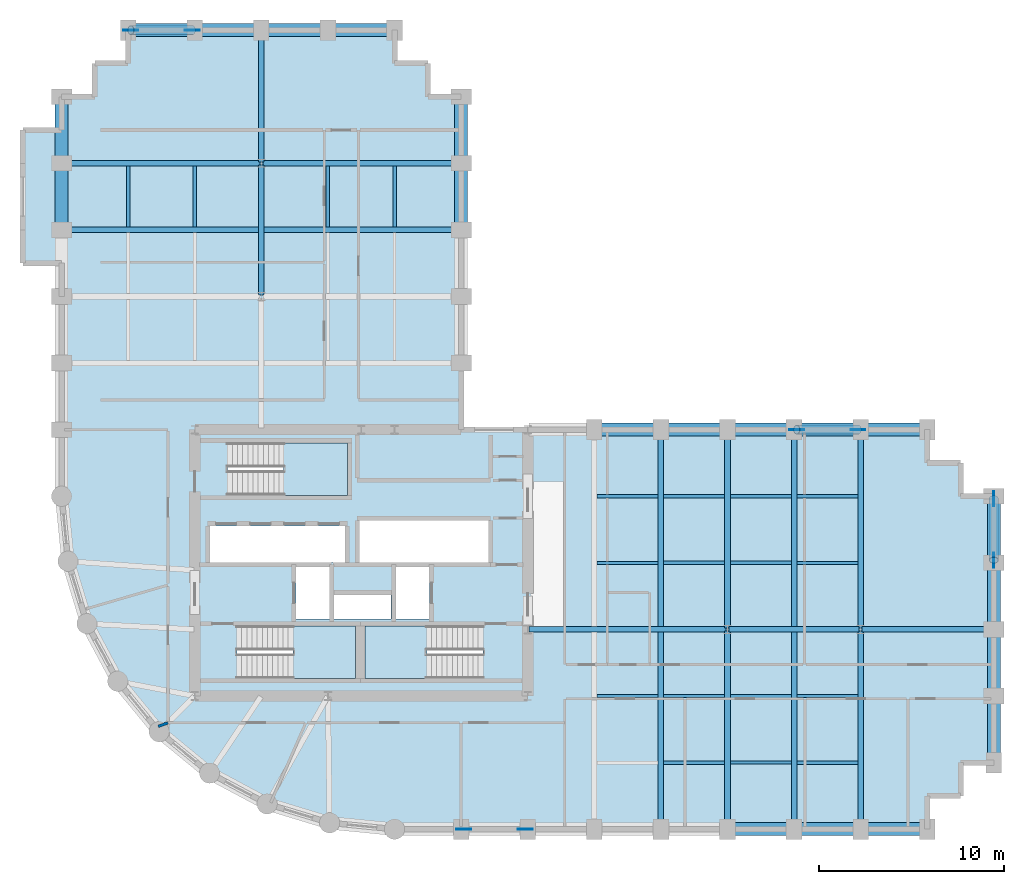
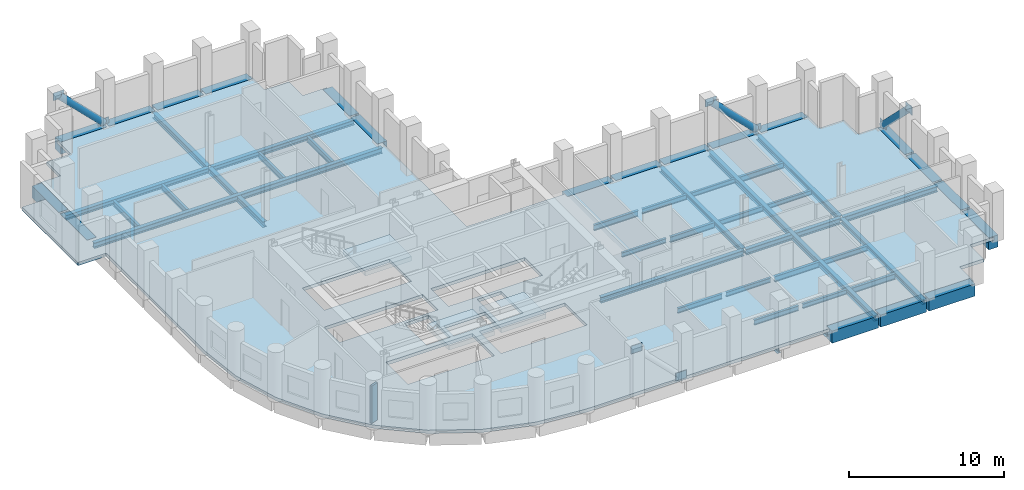
# One storey, part 2 of 7: 53 beams, 8 plates, 4 slabs, 3 members, 1 wall, 3 elements without a shape of their own.
"""IFC4 building model written with IfcOpenShell, lengths in metres."""

from ifc_helpers import new_model, si_unit, direction, frame, frame_2d, origin, origin_2d, place, context, subcontext, project, spatial, polyline, rectangle, hollow_circle, i_section, outline, extrude, material, layer, layer_set, material_profile, profile_set, type_object, element, aggregate, save


model = new_model("IFC4")

# Units and contexts
model_context = context("Model", 3, precision=1e-05, world=origin(), true_north=direction((0.0, 1.0)))
body_context = subcontext(model_context, "Body", "Model", "MODEL_VIEW")
ifc_project = project(units=[si_unit("LENGTHUNIT", "METRE"), si_unit("AREAUNIT", "SQUARE_METRE"), si_unit("VOLUMEUNIT", "CUBIC_METRE"), si_unit("PLANEANGLEUNIT", "RADIAN"), si_unit("MASSUNIT", "GRAM", prefix="KILO")], contexts=[model_context])

# Site, building, storey
site_placement = place(None, origin())
site = spatial("IfcSite", under=ifc_project, at=site_placement, CompositionType="ELEMENT")
building_placement = place(site_placement, origin())
building = spatial("IfcBuilding", under=site, at=building_placement, Name="Solnavia Interchange Tower", CompositionType="ELEMENT")
storey_placement = place(building_placement, frame((0.0, 0.0, 91.800048828125)))
storey = spatial("IfcBuildingStorey", under=building, at=storey_placement, Name="L22", CompositionType="ELEMENT", Elevation=91.800048828125)

# Beams
ifc_material_1 = material(Name="Steel S460", Category="steel")
ifc_material_profile_1 = material_profile(ifc_material_1, i_section(OverallWidth=0.300048828125, OverallDepth=0.449951171875, WebThickness=0.013916015625, FlangeThickness=0.02587890625, FilletRadius=0.027099609375, at=origin_2d()), Name="HEB 450")
ifc_profile_set_1 = profile_set([ifc_material_profile_1], Name="Steel S460")
beam_type_1 = type_object("IfcBeamType", Name="Beam-Girder-HEB450", PredefinedType="BEAM", material=ifc_profile_set_1)
beam_1_placement = place(storey_placement, frame((32.47998046875, 14.39990234375, -0.47509765625), z_axis=(1.0, 0.0, 0.0), x_axis=(0.0, 1.0, 0.0)))
element("IfcBeam", 1, at=beam_1_placement, inside=storey, type_object=beam_type_1, Name="GRD-L22-ES01 East wing spine girder", PredefinedType="BEAM", context=body_context, shape_type="SweptSolid", body=[
    extrude(i_section(OverallWidth=0.300048828125, OverallDepth=0.449951171875, WebThickness=0.013916015625, FlangeThickness=0.02587890625, FilletRadius=0.027099609375, at=origin_2d()), origin(), (0.0, 0.0, 1.0), 10.64013671875),
])
for number, where, z_axis, x_axis, name in (
    (2, (43.280029296875, 14.39990234375, -0.47509765625), (1.0, 0.0, 0.0), (0.0, 1.0, 0.0), "GRD-L22-ES02 East wing spine girder"),
    (3, (50.47998046875, 14.39990234375, -0.47509765625), (1.0, 0.0, 0.0), (0.0, 1.0, 0.0), "GRD-L22-ES03 East wing spine girder"),
    (4, (18.0, 32.47998046875, -0.47509765625), (0.0, 1.0, 0.0), (-1.0, 0.0, 0.0), "GRD-L22-NS12 North wing spine girder"),
    (5, (18.0, 39.679931640625, -0.47509765625), (0.0, 1.0, 0.0), (-1.0, 0.0, 0.0), "GRD-L22-NS13 North wing spine girder"),
):
    element("IfcBeam", number, at=place(storey_placement, frame(where, z_axis=z_axis, x_axis=x_axis)), inside=storey, type_object=beam_type_1, Name=name, PredefinedType="BEAM", context=body_context, shape_type="SweptSolid", body=[
        extrude(i_section(OverallWidth=0.300048828125, OverallDepth=0.449951171875, WebThickness=0.013916015625, FlangeThickness=0.02587890625, FilletRadius=0.027099609375, at=origin_2d()), origin(), (0.0, 0.0, 1.0), 7.0400390625),
    ])
ifc_material_2 = material(Name="Steel S355", Category="steel")
ifc_material_profile_2 = material_profile(ifc_material_2, i_section(OverallWidth=0.169921875, OverallDepth=0.360107421875, WebThickness=0.008056640625, FlangeThickness=0.0126953125, FilletRadius=0.01806640625, at=origin_2d()), Name="IPE 360")
ifc_profile_set_2 = profile_set([ifc_material_profile_2], Name="Steel S355")
beam_type_2 = type_object("IfcBeamType", Name="Beam-Joist-IPE360", PredefinedType="JOIST", material=ifc_profile_set_2)
beam_2_placement = place(storey_placement, frame((43.35009765625, 7.199951171875, -0.429931640625), z_axis=(1.0, 0.0, 0.0), x_axis=(0.0, 1.0, 0.0)))
element("IfcBeam", 6, at=beam_2_placement, inside=storey, type_object=beam_type_2, Name="JST-L22-E03 East wing secondary joist", PredefinedType="JOIST", context=body_context, shape_type="SweptSolid", body=[
    extrude(i_section(OverallWidth=0.169921875, OverallDepth=0.360107421875, WebThickness=0.008056640625, FlangeThickness=0.0126953125, FilletRadius=0.01806640625, at=origin_2d()), origin(), (0.0, 0.0, 1.0), 3.2998046875),
])
for number, where, z_axis, x_axis, name in (
    (7, (39.75, 10.800048828125, -0.429931640625), (1.0, 0.0, 0.0), (0.0, 1.0, 0.0), "JST-L22-E06 East wing secondary joist"),
    (8, (36.14990234375, 18.0, -0.429931640625), (1.0, 0.0, 0.0), (0.0, 1.0, 0.0), "JST-L22-E09 East wing secondary joist"),
    (9, (46.949951171875, 18.0, -0.429931640625), (1.0, 0.0, 0.0), (0.0, 1.0, 0.0), "JST-L22-E12 East wing secondary joist"),
):
    element("IfcBeam", number, at=place(storey_placement, frame(where, z_axis=z_axis, x_axis=x_axis)), inside=storey, type_object=beam_type_2, Name=name, PredefinedType="JOIST", context=body_context, shape_type="SweptSolid", body=[
        extrude(i_section(OverallWidth=0.169921875, OverallDepth=0.360107421875, WebThickness=0.008056640625, FlangeThickness=0.0126953125, FilletRadius=0.01806640625, at=origin_2d()), origin(), (0.0, 0.0, 1.0), 3.300048828125),
    ])
beam_3_placement = place(storey_placement, frame((43.35009765625, 21.60009765625, -0.429931640625), z_axis=(1.0, 0.0, 0.0), x_axis=(0.0, 1.0, 0.0)))
element("IfcBeam", 10, at=beam_3_placement, inside=storey, type_object=beam_type_2, Name="JST-L22-E15 East wing secondary joist", PredefinedType="JOIST", context=body_context, shape_type="SweptSolid", body=[
    extrude(i_section(OverallWidth=0.169921875, OverallDepth=0.360107421875, WebThickness=0.008056640625, FlangeThickness=0.0126953125, FilletRadius=0.01806640625, at=origin_2d()), origin(), (0.0, 0.0, 1.0), 3.2998046875),
])
ifc_material_profile_3 = material_profile(ifc_material_2, i_section(OverallWidth=0.179931640625, OverallDepth=0.39990234375, WebThickness=0.008544921875, FlangeThickness=0.013427734375, FilletRadius=0.02099609375, at=origin_2d()), Name="IPE 400")
ifc_profile_set_3 = profile_set([ifc_material_profile_3], Name="Steel S355")
beam_type_3 = type_object("IfcBeamType", Name="Beam-Joist-IPE400", PredefinedType="JOIST", material=ifc_profile_set_3)
for number, where, z_axis, x_axis, name in (
    (11, (39.75, 7.199951171875, -0.449951171875), (1.0, 0.0, 0.0), (0.0, 1.0, 0.0), "JST-L22-E02 East wing secondary joist"),
    (12, (36.14990234375, 10.800048828125, -0.449951171875), (1.0, 0.0, 0.0), (0.0, 1.0, 0.0), "JST-L22-E05 East wing secondary joist"),
    (13, (46.949951171875, 10.800048828125, -0.449951171875), (1.0, 0.0, 0.0), (0.0, 1.0, 0.0), "JST-L22-E08 East wing secondary joist"),
):
    element("IfcBeam", number, at=place(storey_placement, frame(where, z_axis=z_axis, x_axis=x_axis)), inside=storey, type_object=beam_type_3, Name=name, PredefinedType="JOIST", context=body_context, shape_type="SweptSolid", body=[
        extrude(i_section(OverallWidth=0.179931640625, OverallDepth=0.39990234375, WebThickness=0.008544921875, FlangeThickness=0.013427734375, FilletRadius=0.02099609375, at=origin_2d()), origin(), (0.0, 0.0, 1.0), 3.300048828125),
    ])
beam_4_placement = place(storey_placement, frame((43.35009765625, 18.0, -0.449951171875), z_axis=(1.0, 0.0, 0.0), x_axis=(0.0, 1.0, 0.0)))
element("IfcBeam", 14, at=beam_4_placement, inside=storey, type_object=beam_type_3, Name="JST-L22-E11 East wing secondary joist", PredefinedType="JOIST", context=body_context, shape_type="SweptSolid", body=[
    extrude(i_section(OverallWidth=0.179931640625, OverallDepth=0.39990234375, WebThickness=0.008544921875, FlangeThickness=0.013427734375, FilletRadius=0.02099609375, at=origin_2d()), origin(), (0.0, 0.0, 1.0), 3.2998046875),
])
beam_5_placement = place(storey_placement, frame((39.75, 21.60009765625, -0.449951171875), z_axis=(1.0, 0.0, 0.0), x_axis=(0.0, 1.0, 0.0)))
element("IfcBeam", 15, at=beam_5_placement, inside=storey, type_object=beam_type_3, Name="JST-L22-E14 East wing secondary joist", PredefinedType="JOIST", context=body_context, shape_type="SweptSolid", body=[
    extrude(i_section(OverallWidth=0.179931640625, OverallDepth=0.39990234375, WebThickness=0.008544921875, FlangeThickness=0.013427734375, FilletRadius=0.02099609375, at=origin_2d()), origin(), (0.0, 0.0, 1.0), 3.300048828125),
])
ifc_material_profile_4 = material_profile(ifc_material_2, i_section(OverallWidth=0.18994140625, OverallDepth=0.449951171875, WebThickness=0.009521484375, FlangeThickness=0.0146484375, FilletRadius=0.02099609375, at=origin_2d()), Name="IPE 450")
ifc_profile_set_4 = profile_set([ifc_material_profile_4], Name="Steel S355")
beam_type_4 = type_object("IfcBeamType", Name="Beam-Joist-IPE450", PredefinedType="JOIST", material=ifc_profile_set_4)
beam_6_placement = place(storey_placement, frame((46.949951171875, 7.199951171875, -0.47509765625), z_axis=(1.0, 0.0, 0.0), x_axis=(0.0, 1.0, 0.0)))
element("IfcBeam", 16, at=beam_6_placement, inside=storey, type_object=beam_type_4, Name="JST-L22-E04 East wing secondary joist", PredefinedType="JOIST", context=body_context, shape_type="SweptSolid", body=[
    extrude(i_section(OverallWidth=0.18994140625, OverallDepth=0.449951171875, WebThickness=0.009521484375, FlangeThickness=0.0146484375, FilletRadius=0.02099609375, at=origin_2d()), origin(), (0.0, 0.0, 1.0), 3.300048828125),
])
beam_7_placement = place(storey_placement, frame((43.35009765625, 10.800048828125, -0.47509765625), z_axis=(1.0, 0.0, 0.0), x_axis=(0.0, 1.0, 0.0)))
element("IfcBeam", 17, at=beam_7_placement, inside=storey, type_object=beam_type_4, Name="JST-L22-E07 East wing secondary joist", PredefinedType="JOIST", context=body_context, shape_type="SweptSolid", body=[
    extrude(i_section(OverallWidth=0.18994140625, OverallDepth=0.449951171875, WebThickness=0.009521484375, FlangeThickness=0.0146484375, FilletRadius=0.02099609375, at=origin_2d()), origin(), (0.0, 0.0, 1.0), 3.2998046875),
])
for number, where, z_axis, x_axis, name in (
    (18, (39.75, 18.0, -0.47509765625), (1.0, 0.0, 0.0), (0.0, 1.0, 0.0), "JST-L22-E10 East wing secondary joist"),
    (19, (36.14990234375, 21.60009765625, -0.47509765625), (1.0, 0.0, 0.0), (0.0, 1.0, 0.0), "JST-L22-E13 East wing secondary joist"),
    (20, (46.949951171875, 21.60009765625, -0.47509765625), (1.0, 0.0, 0.0), (0.0, 1.0, 0.0), "JST-L22-E16 East wing secondary joist"),
    (21, (10.800048828125, 36.14990234375, -0.47509765625), (0.0, 1.0, 0.0), (-1.0, 0.0, 0.0), "JST-L22-N19 North wing secondary joist"),
    (22, (14.39990234375, 36.14990234375, -0.47509765625), (0.0, 1.0, 0.0), (-1.0, 0.0, 0.0), "JST-L22-N22 North wing secondary joist"),
    (23, (21.60009765625, 36.14990234375, -0.47509765625), (0.0, 1.0, 0.0), (-1.0, 0.0, 0.0), "JST-L22-N25 North wing secondary joist"),
    (24, (25.199951171875, 36.14990234375, -0.47509765625), (0.0, 1.0, 0.0), (-1.0, 0.0, 0.0), "JST-L22-N28 North wing secondary joist"),
):
    element("IfcBeam", number, at=place(storey_placement, frame(where, z_axis=z_axis, x_axis=x_axis)), inside=storey, type_object=beam_type_4, Name=name, PredefinedType="JOIST", context=body_context, shape_type="SweptSolid", body=[
        extrude(i_section(OverallWidth=0.18994140625, OverallDepth=0.449951171875, WebThickness=0.009521484375, FlangeThickness=0.0146484375, FilletRadius=0.02099609375, at=origin_2d()), origin(), (0.0, 0.0, 1.0), 3.300048828125),
    ])
ifc_material_profile_5 = material_profile(ifc_material_2, i_section(OverallWidth=0.300048828125, OverallDepth=0.389892578125, WebThickness=0.010986328125, FlangeThickness=0.01904296875, FilletRadius=0.027099609375, at=origin_2d()), Name="HEA 400")
ifc_profile_set_5 = profile_set([ifc_material_profile_5], Name="Steel S355")
beam_type_5 = type_object("IfcBeamType", Name="Beam-Primary-HEA400", PredefinedType="BEAM", material=ifc_profile_set_5)
for number, where, z_axis, x_axis, name in (
    (25, (43.199951171875, 3.679931640625, -0.445068359375), (0.0, 1.0, 0.0), (-1.0, 0.0, 0.0), "GRD-L22-EW06 East wing primary floor girder"),
    (26, (43.199951171875, 14.47998046875, -0.445068359375), (0.0, 1.0, 0.0), (-1.0, 0.0, 0.0), "GRD-L22-EW07 East wing primary floor girder"),
    (27, (50.39990234375, 3.679931640625, -0.445068359375), (0.0, 1.0, 0.0), (-1.0, 0.0, 0.0), "GRD-L22-EW09 East wing primary floor girder"),
    (28, (50.39990234375, 14.47998046875, -0.445068359375), (0.0, 1.0, 0.0), (-1.0, 0.0, 0.0), "GRD-L22-EW10 East wing primary floor girder"),
):
    element("IfcBeam", number, at=place(storey_placement, frame(where, z_axis=z_axis, x_axis=x_axis)), inside=storey, type_object=beam_type_5, Name=name, PredefinedType="BEAM", context=body_context, shape_type="SweptSolid", body=[
        extrude(i_section(OverallWidth=0.300048828125, OverallDepth=0.389892578125, WebThickness=0.010986328125, FlangeThickness=0.01904296875, FilletRadius=0.027099609375, at=origin_2d()), origin(), (0.0, 0.0, 1.0), 10.64013671875),
    ])
for number, where, z_axis, x_axis, name in (
    (29, (7.280029296875, 39.60009765625, -0.445068359375), (1.0, 0.0, 0.0), (0.0, 1.0, 0.0), "GRD-L22-NW18 North wing primary floor girder"),
    (30, (18.080078125, 39.60009765625, -0.445068359375), (1.0, 0.0, 0.0), (0.0, 1.0, 0.0), "GRD-L22-NW19 North wing primary floor girder"),
):
    element("IfcBeam", number, at=place(storey_placement, frame(where, z_axis=z_axis, x_axis=x_axis)), inside=storey, type_object=beam_type_5, Name=name, PredefinedType="BEAM", context=body_context, shape_type="SweptSolid", body=[
        extrude(i_section(OverallWidth=0.300048828125, OverallDepth=0.389892578125, WebThickness=0.010986328125, FlangeThickness=0.01904296875, FilletRadius=0.027099609375, at=origin_2d()), origin(), (0.0, 0.0, 1.0), 10.639892578125),
    ])
ifc_material_profile_6 = material_profile(ifc_material_2, i_section(OverallWidth=0.300048828125, OverallDepth=0.43994140625, WebThickness=0.011474609375, FlangeThickness=0.02099609375, FilletRadius=0.027099609375, at=origin_2d()), Name="HEA 450")
ifc_profile_set_6 = profile_set([ifc_material_profile_6], Name="Steel S355")
beam_type_6 = type_object("IfcBeamType", Name="Beam-Primary-HEA450", PredefinedType="BEAM", material=ifc_profile_set_6)
for number, where, z_axis, x_axis, name in (
    (31, (39.60009765625, 3.679931640625, -0.469970703125), (0.0, 1.0, 0.0), (-1.0, 0.0, 0.0), "GRD-L22-EW05 East wing primary floor girder"),
    (32, (46.800048828125, 3.679931640625, -0.469970703125), (0.0, 1.0, 0.0), (-1.0, 0.0, 0.0), "GRD-L22-EW08 East wing primary floor girder"),
):
    element("IfcBeam", number, at=place(storey_placement, frame(where, z_axis=z_axis, x_axis=x_axis)), inside=storey, type_object=beam_type_6, Name=name, PredefinedType="BEAM", context=body_context, shape_type="SweptSolid", body=[
        extrude(i_section(OverallWidth=0.300048828125, OverallDepth=0.43994140625, WebThickness=0.011474609375, FlangeThickness=0.02099609375, FilletRadius=0.027099609375, at=origin_2d()), origin(), (0.0, 0.0, 1.0), 21.440185546875),
    ])
beam_8_placement = place(storey_placement, frame((7.280029296875, 36.0, -0.469970703125), z_axis=(1.0, 0.0, 0.0), x_axis=(0.0, 1.0, 0.0)))
element("IfcBeam", 33, at=beam_8_placement, inside=storey, type_object=beam_type_6, Name="GRD-L22-NW17 North wing primary floor girder", PredefinedType="BEAM", context=body_context, shape_type="SweptSolid", body=[
    extrude(i_section(OverallWidth=0.300048828125, OverallDepth=0.43994140625, WebThickness=0.011474609375, FlangeThickness=0.02099609375, FilletRadius=0.027099609375, at=origin_2d()), origin(), (0.0, 0.0, 1.0), 21.43994140625),
])
ifc_material_3 = material(Name="Concrete C50/60", Category="concrete")
ifc_material_profile_7 = material_profile(ifc_material_3, rectangle(XDim=0.699951171875, YDim=0.949951171875, at=origin_2d()), Name="RC 700x950")
ifc_profile_set_7 = profile_set([ifc_material_profile_7], Name="Concrete C50/60")
beam_type_7 = type_object("IfcBeamType", Name="Beam-Spandrel-RC700x950", PredefinedType="SPANDREL", material=ifc_profile_set_7)
beam_9_placement = place(storey_placement, frame((43.280029296875, 3.60009765625, -0.47509765625), z_axis=(1.0, 0.0, 0.0), x_axis=(0.0, 1.0, 0.0)))
element("IfcBeam", 34, at=beam_9_placement, inside=storey, type_object=beam_type_7, Name="SPB-L22-14 Framed-tube perimeter spandrel beam", PredefinedType="SPANDREL", context=body_context, shape_type="SweptSolid", body=[
    extrude(rectangle(XDim=0.699951171875, YDim=0.949951171875, at=origin_2d()), origin(), (0.0, 0.0, 1.0), 3.43994140625),
])
beam_10_placement = place(storey_placement, frame((46.8798828125, 3.60009765625, -0.47509765625), z_axis=(1.0, 0.0, 0.0), x_axis=(0.0, 1.0, 0.0)))
element("IfcBeam", 35, at=beam_10_placement, inside=storey, type_object=beam_type_7, Name="SPB-L22-15 Framed-tube perimeter spandrel beam", PredefinedType="SPANDREL", context=body_context, shape_type="SweptSolid", body=[
    extrude(rectangle(XDim=0.699951171875, YDim=0.949951171875, at=origin_2d()), origin(), (0.0, 0.0, 1.0), 3.440185546875),
])
for number, where, z_axis, x_axis, name in (
    (36, (50.47998046875, 3.60009765625, -0.47509765625), (1.0, 0.0, 0.0), (0.0, 1.0, 0.0), "SPB-L22-16 Framed-tube perimeter spandrel beam"),
    (37, (57.60009765625, 7.280029296875, -0.47509765625), (0.0, 1.0, 0.0), (-1.0, 0.0, 0.0), "SPB-L22-17 Framed-tube perimeter spandrel beam"),
):
    element("IfcBeam", number, at=place(storey_placement, frame(where, z_axis=z_axis, x_axis=x_axis)), inside=storey, type_object=beam_type_7, Name=name, PredefinedType="SPANDREL", context=body_context, shape_type="SweptSolid", body=[
        extrude(rectangle(XDim=0.699951171875, YDim=0.949951171875, at=origin_2d()), origin(), (0.0, 0.0, 1.0), 3.43994140625),
    ])
beam_11_placement = place(storey_placement, frame((57.60009765625, 10.8798828125, -0.47509765625), z_axis=(0.0, 1.0, 0.0), x_axis=(-1.0, 0.0, 0.0)))
element("IfcBeam", 38, at=beam_11_placement, inside=storey, type_object=beam_type_7, Name="SPB-L22-18 Framed-tube perimeter spandrel beam", PredefinedType="SPANDREL", context=body_context, shape_type="SweptSolid", body=[
    extrude(rectangle(XDim=0.699951171875, YDim=0.949951171875, at=origin_2d()), origin(), (0.0, 0.0, 1.0), 3.440185546875),
])
for number, where, z_axis, x_axis, name in (
    (39, (57.60009765625, 14.47998046875, -0.47509765625), (0.0, 1.0, 0.0), (-1.0, 0.0, 0.0), "SPB-L22-19 Framed-tube perimeter spandrel beam"),
    (40, (57.60009765625, 18.080078125, -0.47509765625), (0.0, 1.0, 0.0), (-1.0, 0.0, 0.0), "SPB-L22-20 Framed-tube perimeter spandrel beam"),
    (41, (53.919921875, 25.199951171875, -0.47509765625), (-1.0, 0.0, 0.0), (0.0, -1.0, 0.0), "SPB-L22-21 Framed-tube perimeter spandrel beam"),
):
    element("IfcBeam", number, at=place(storey_placement, frame(where, z_axis=z_axis, x_axis=x_axis)), inside=storey, type_object=beam_type_7, Name=name, PredefinedType="SPANDREL", context=body_context, shape_type="SweptSolid", body=[
        extrude(rectangle(XDim=0.699951171875, YDim=0.949951171875, at=origin_2d()), origin(), (0.0, 0.0, 1.0), 3.43994140625),
    ])
beam_12_placement = place(storey_placement, frame((50.320068359375, 25.199951171875, -0.47509765625), z_axis=(-1.0, 0.0, 0.0), x_axis=(0.0, -1.0, 0.0)))
element("IfcBeam", 42, at=beam_12_placement, inside=storey, type_object=beam_type_7, Name="SPB-L22-22 Framed-tube perimeter spandrel beam", PredefinedType="SPANDREL", context=body_context, shape_type="SweptSolid", body=[
    extrude(rectangle(XDim=0.699951171875, YDim=0.949951171875, at=origin_2d()), origin(), (0.0, 0.0, 1.0), 3.440185546875),
])
beam_13_placement = place(storey_placement, frame((46.719970703125, 25.199951171875, -0.47509765625), z_axis=(-1.0, 0.0, 0.0), x_axis=(0.0, -1.0, 0.0)))
element("IfcBeam", 43, at=beam_13_placement, inside=storey, type_object=beam_type_7, Name="SPB-L22-23 Framed-tube perimeter spandrel beam", PredefinedType="SPANDREL", context=body_context, shape_type="SweptSolid", body=[
    extrude(rectangle(XDim=0.699951171875, YDim=0.949951171875, at=origin_2d()), origin(), (0.0, 0.0, 1.0), 3.43994140625),
])
beam_14_placement = place(storey_placement, frame((43.1201171875, 25.199951171875, -0.47509765625), z_axis=(-1.0, 0.0, 0.0), x_axis=(0.0, -1.0, 0.0)))
element("IfcBeam", 44, at=beam_14_placement, inside=storey, type_object=beam_type_7, Name="SPB-L22-24 Framed-tube perimeter spandrel beam", PredefinedType="SPANDREL", context=body_context, shape_type="SweptSolid", body=[
    extrude(rectangle(XDim=0.699951171875, YDim=0.949951171875, at=origin_2d()), origin(), (0.0, 0.0, 1.0), 3.440185546875),
])
for number, where, z_axis, x_axis, name in (
    (45, (39.52001953125, 25.199951171875, -0.47509765625), (-1.0, 0.0, 0.0), (0.0, -1.0, 0.0), "SPB-L22-25 Framed-tube perimeter spandrel beam"),
    (46, (28.800048828125, 36.080078125, -0.47509765625), (0.0, 1.0, 0.0), (-1.0, 0.0, 0.0), "SPB-L22-29 Framed-tube perimeter spandrel beam"),
):
    element("IfcBeam", number, at=place(storey_placement, frame(where, z_axis=z_axis, x_axis=x_axis)), inside=storey, type_object=beam_type_7, Name=name, PredefinedType="SPANDREL", context=body_context, shape_type="SweptSolid", body=[
        extrude(rectangle(XDim=0.699951171875, YDim=0.949951171875, at=origin_2d()), origin(), (0.0, 0.0, 1.0), 3.43994140625),
    ])
for number, where, z_axis, x_axis, name in (
    (47, (28.800048828125, 39.679931640625, -0.47509765625), (0.0, 1.0, 0.0), (-1.0, 0.0, 0.0), "SPB-L22-30 Framed-tube perimeter spandrel beam"),
    (48, (25.1201171875, 46.800048828125, -0.47509765625), (-1.0, 0.0, 0.0), (0.0, -1.0, 0.0), "SPB-L22-31 Framed-tube perimeter spandrel beam"),
):
    element("IfcBeam", number, at=place(storey_placement, frame(where, z_axis=z_axis, x_axis=x_axis)), inside=storey, type_object=beam_type_7, Name=name, PredefinedType="SPANDREL", context=body_context, shape_type="SweptSolid", body=[
        extrude(rectangle(XDim=0.699951171875, YDim=0.949951171875, at=origin_2d()), origin(), (0.0, 0.0, 1.0), 3.440185546875),
    ])
for number, where, z_axis, x_axis, name in (
    (49, (21.52001953125, 46.800048828125, -0.47509765625), (-1.0, 0.0, 0.0), (0.0, -1.0, 0.0), "SPB-L22-32 Framed-tube perimeter spandrel beam"),
    (50, (17.919921875, 46.800048828125, -0.47509765625), (-1.0, 0.0, 0.0), (0.0, -1.0, 0.0), "SPB-L22-33 Framed-tube perimeter spandrel beam"),
):
    element("IfcBeam", number, at=place(storey_placement, frame(where, z_axis=z_axis, x_axis=x_axis)), inside=storey, type_object=beam_type_7, Name=name, PredefinedType="SPANDREL", context=body_context, shape_type="SweptSolid", body=[
        extrude(rectangle(XDim=0.699951171875, YDim=0.949951171875, at=origin_2d()), origin(), (0.0, 0.0, 1.0), 3.43994140625),
    ])
for number, where, z_axis, x_axis, name in (
    (51, (14.320068359375, 46.800048828125, -0.47509765625), (-1.0, 0.0, 0.0), (0.0, -1.0, 0.0), "SPB-L22-34 Framed-tube perimeter spandrel beam"),
    (52, (7.199951171875, 43.1201171875, -0.47509765625), (0.0, -1.0, 0.0), (1.0, 0.0, 0.0), "SPB-L22-35 Framed-tube perimeter spandrel beam"),
):
    element("IfcBeam", number, at=place(storey_placement, frame(where, z_axis=z_axis, x_axis=x_axis)), inside=storey, type_object=beam_type_7, Name=name, PredefinedType="SPANDREL", context=body_context, shape_type="SweptSolid", body=[
        extrude(rectangle(XDim=0.699951171875, YDim=0.949951171875, at=origin_2d()), origin(), (0.0, 0.0, 1.0), 3.440185546875),
    ])
beam_15_placement = place(storey_placement, frame((7.199951171875, 39.52001953125, -0.47509765625), z_axis=(0.0, -1.0, 0.0), x_axis=(1.0, 0.0, 0.0)))
element("IfcBeam", 53, at=beam_15_placement, inside=storey, type_object=beam_type_7, Name="SPB-L22-36 Framed-tube perimeter spandrel beam", PredefinedType="SPANDREL", context=body_context, shape_type="SweptSolid", body=[
    extrude(rectangle(XDim=0.699951171875, YDim=0.949951171875, at=origin_2d()), origin(), (0.0, 0.0, 1.0), 3.43994140625),
])

# Members
ifc_material_profile_8 = material_profile(ifc_material_1, hollow_circle(Radius=0.25390625, WallThickness=0.02490234375, at=origin_2d()), Name="CHS 508x25")
ifc_profile_set_8 = profile_set([ifc_material_profile_8], Name="Steel S460")
member_type = type_object("IfcMemberType", Name="Brace-Perim-CHS508", PredefinedType="BRACE", material=ifc_profile_set_8)
for number, where, z_axis, x_axis, name in (
    (54, (57.60009765625, 21.4599609375, 0.179931640625), (0.0, -0.710311792477, 0.703887176661), (1.0, 0.0, 0.0), "BRC-L22-02 Perimeter tube diagonal brace"),
    (55, (14.260009765625, 46.800048828125, 0.179931640625), (-0.710311792477, 0.0, 0.703887176661), (0.0, -1.0, 0.0), "BRC-L22-03 Perimeter tube diagonal brace"),
    (56, (50.260009765625, 25.199951171875, 0.179931640625), (-0.710311792477, 0.0, 0.703887176661), (0.0, -1.0, 0.0), "BRC-L22-04 Perimeter tube diagonal brace"),
):
    element("IfcMember", number, at=place(storey_placement, frame(where, z_axis=z_axis, x_axis=x_axis)), inside=storey, type_object=member_type, Name=name, PredefinedType="BRACE", context=body_context, shape_type="SweptSolid", body=[
        extrude(hollow_circle(Radius=0.25390625, WallThickness=0.02490234375, at=origin_2d()), origin(), (0.0, 0.0, 1.0), 4.674072265625),
    ])

# Plates
ifc_layer_1 = layer(ifc_material_1, 0.035888671875)
ifc_layer_set_1 = layer_set([ifc_layer_1], Name="Steel S460")
plate_type = type_object("IfcPlateType", Name="Plate-Gusset-800x600x36", PredefinedType="USERDEFINED", material=ifc_layer_set_1)
for number, where, z_axis, x_axis, name in (
    (57, (32.260009765625, 3.60009765625, -0.1201171875), (0.0, 0.0, 1.0), (-1.0, 0.0, 0.0), "PLT-L22-GP01 Perimeter brace gusset plate"),
    (58, (28.93994140625, 3.60009765625, 3.169921875), (0.0, 0.0, 1.0), (-1.0, 0.0, 0.0), "PLT-L22-GP02 Perimeter brace gusset plate"),
    (59, (57.60009765625, 21.4599609375, -0.1201171875), (0.0, 0.0, 1.0), (0.0, -1.0, 0.0), "PLT-L22-GP03 Perimeter brace gusset plate"),
    (60, (57.60009765625, 18.139892578125, 3.169921875), (0.0, 0.0, 1.0), (0.0, -1.0, 0.0), "PLT-L22-GP04 Perimeter brace gusset plate"),
    (61, (14.260009765625, 46.800048828125, -0.1201171875), (0.0, 0.0, 1.0), (-1.0, 0.0, 0.0), "PLT-L22-GP05 Perimeter brace gusset plate"),
    (62, (10.93994140625, 46.800048828125, 3.169921875), (0.0, 0.0, 1.0), (-1.0, 0.0, 0.0), "PLT-L22-GP06 Perimeter brace gusset plate"),
    (63, (50.260009765625, 25.199951171875, -0.1201171875), (0.0, 0.0, 1.0), (-1.0, 0.0, 0.0), "PLT-L22-GP07 Perimeter brace gusset plate"),
    (64, (46.93994140625, 25.199951171875, 3.169921875), (0.0, 0.0, 1.0), (-1.0, 0.0, 0.0), "PLT-L22-GP08 Perimeter brace gusset plate"),
):
    element("IfcPlate", number, at=place(storey_placement, frame(where, z_axis=z_axis, x_axis=x_axis)), inside=storey, type_object=plate_type, Name=name, ObjectType="GUSSET PLATE", PredefinedType="USERDEFINED", context=body_context, shape_type="SweptSolid", body=[
        extrude(rectangle(XDim=0.800048828125, YDim=0.035888671875, at=origin_2d()), origin(), (0.0, 0.0, 1.0), 0.60009765625),
    ])

# Stair, slab
ifc_material_4 = material(Name="Concrete C40/50", Category="concrete")
stair_type = type_object("IfcStairType", Name="Stair-Dogleg-RC", PredefinedType="HALF_TURN_STAIR", material=ifc_material_4)
stair_1_placement = place(storey_placement, origin())
stair_1 = element("IfcStair", 65, at=stair_1_placement, inside=storey, type_object=stair_type, Name="L22 Core exit stair 1", PredefinedType="HALF_TURN_STAIR")
ifc_layer_2 = layer(ifc_material_4, 0.35009765625)
ifc_layer_set_2 = layer_set([ifc_layer_2], Name="Concrete C40/50")
slab_type_1 = type_object("IfcSlabType", Name="Slab-StairLanding-350", PredefinedType="LANDING", material=ifc_layer_set_2)
slab_1_placement = place(storey_placement, frame((0.0, 0.0, 1.599853515625)))
slab_1 = element("IfcSlab", 66, at=slab_1_placement, type_object=slab_type_1, Name="ST-1 landing 1", PredefinedType="LANDING", context=body_context, shape_type="SweptSolid", body=[
    extrude(outline(polyline([(19.7080078125, 11.75), (23.10009765625, 11.75), (23.10009765625, 14.590087890625), (19.7080078125, 14.590087890625), (19.7080078125, 11.75)])), origin(), (0.0, 0.0, 1.0), 0.35009765625),
])
aggregate(stair_1, [slab_1])

stair_2_placement = place(storey_placement, origin())
stair_2 = element("IfcStair", 67, at=stair_2_placement, inside=storey, type_object=stair_type, Name="L22 Core exit stair 2", PredefinedType="HALF_TURN_STAIR")
slab_2_placement = place(storey_placement, frame((0.0, 0.0, 1.599853515625)))
slab_2 = element("IfcSlab", 68, at=slab_2_placement, type_object=slab_type_1, Name="ST-2 landing 1", PredefinedType="LANDING", context=body_context, shape_type="SweptSolid", body=[
    extrude(outline(polyline([(23.60009765625, 11.75), (26.94189453125, 11.75), (26.94189453125, 14.590087890625), (23.60009765625, 14.590087890625), (23.60009765625, 11.75)])), origin(), (0.0, 0.0, 1.0), 0.35009765625),
])
aggregate(stair_2, [slab_2])

stair_3_placement = place(storey_placement, origin())
stair_3 = element("IfcStair", 69, at=stair_3_placement, inside=storey, type_object=stair_type, Name="L22 Core exit stair 3", PredefinedType="HALF_TURN_STAIR")
slab_3_placement = place(storey_placement, frame((0.0, 0.0, 1.599853515625)))
slab_3 = element("IfcSlab", 70, at=slab_3_placement, type_object=slab_type_1, Name="ST-3 landing 1", PredefinedType="LANDING", context=body_context, shape_type="SweptSolid", body=[
    extrude(outline(polyline([(19.2080078125, 21.64990234375), (22.64990234375, 21.64990234375), (22.64990234375, 24.489990234375), (19.2080078125, 24.489990234375), (19.2080078125, 21.64990234375)])), origin(), (0.0, 0.0, 1.0), 0.35009765625),
])
aggregate(stair_3, [slab_3])

# Slab
ifc_layer_3 = layer(ifc_material_4, 0.25)
ifc_layer_set_3 = layer_set([ifc_layer_3], Name="Concrete C40/50")
slab_type_2 = type_object("IfcSlabType", Name="Slab-Tower-250", PredefinedType="FLOOR", material=ifc_layer_set_3)
slab_4_placement = place(storey_placement, frame((0.0, 0.0, -0.25)))
element("IfcSlab", 71, at=slab_4_placement, inside=storey, type_object=slab_type_2, Name="SLB-L22-01 Structural floor slab", PredefinedType="FLOOR", context=body_context, shape_type="SweptSolid", body=[
    extrude(outline(polyline([(25.199951171875, 3.60009765625), (54.0, 3.60009765625), (54.0, 5.39990234375), (55.800048828125, 5.39990234375), (55.800048828125, 7.199951171875), (57.60009765625, 7.199951171875), (57.60009765625, 21.60009765625), (55.800048828125, 21.60009765625), (55.800048828125, 23.39990234375), (54.0, 23.39990234375), (54.0, 25.199951171875), (28.800048828125, 25.199951171875), (28.800048828125, 43.199951171875), (27.0, 43.199951171875), (27.0, 45.0), (25.199951171875, 45.0), (25.199951171875, 46.800048828125), (10.800048828125, 46.800048828125), (10.800048828125, 45.0), (9.0, 45.0), (9.0, 43.199951171875), (7.199951171875, 43.199951171875), (7.199951171875, 41.39990234375), (5.10009765625, 41.39990234375), (5.10009765625, 34.199951171875), (7.199951171875, 34.199951171875), (7.199951171875, 21.60009765625), (7.5458984375, 18.087890625), (8.570068359375, 14.7119140625), (10.23388671875, 11.60009765625), (12.471923828125, 8.8720703125), (15.199951171875, 6.634033203125), (18.31201171875, 4.969970703125), (21.68798828125, 3.946044921875), (25.199951171875, 3.60009765625)]), holes=[polyline([(16.675048828125, 11.75), (23.10009765625, 11.75), (23.10009765625, 14.590087890625), (16.675048828125, 14.590087890625), (16.675048828125, 11.75)]), polyline([(23.60009765625, 11.75), (29.97509765625, 11.75), (29.97509765625, 14.590087890625), (23.60009765625, 14.590087890625), (23.60009765625, 11.75)]), polyline([(16.175048828125, 21.64990234375), (22.64990234375, 21.64990234375), (22.64990234375, 24.489990234375), (16.175048828125, 24.489990234375), (16.175048828125, 21.64990234375)]), polyline([(19.8798828125, 14.9599609375), (21.679931640625, 14.9599609375), (21.679931640625, 17.780029296875), (19.8798828125, 17.780029296875), (19.8798828125, 14.9599609375)]), polyline([(25.280029296875, 14.9599609375), (27.080078125, 14.9599609375), (27.080078125, 17.780029296875), (25.280029296875, 17.780029296875), (25.280029296875, 14.9599609375)]), polyline([(21.919921875, 14.9599609375), (25.02001953125, 14.9599609375), (25.02001953125, 16.280029296875), (21.919921875, 16.280029296875), (21.919921875, 14.9599609375)]), polyline([(15.219970703125, 18.02001953125), (22.52001953125, 18.02001953125), (22.52001953125, 20.0), (15.219970703125, 20.0), (15.219970703125, 18.02001953125)]), polyline([(23.300048828125, 18.02001953125), (30.280029296875, 18.02001953125), (30.280029296875, 20.300048828125), (23.300048828125, 20.300048828125), (23.300048828125, 18.02001953125)])]), origin(), (0.0, 0.0, 1.0), 0.25),
])

# Wall
ifc_material_5 = material(Name="Gypsum Plasterboard & Steel Stud", Category="steel")
ifc_layer_4 = layer(ifc_material_5, 0.14990234375)
ifc_layer_set_4 = layer_set([ifc_layer_4], Name="Gypsum Plasterboard & Steel Stud")
wall_type = type_object("IfcWallType", Name="Wall-Partition-150", PredefinedType="PARTITIONING", material=ifc_layer_set_4)
wall_placement = place(storey_placement, frame((12.949951171875, 9.35009765625, 0.0), z_axis=(0.0, 0.0, 1.0), x_axis=(-0.939538101119, -0.342444384601, 0.0)))
element("IfcWall", 72, at=wall_placement, inside=storey, type_object=wall_type, Name="PTW-L22-10 Interior partition wall", PredefinedType="PARTITIONING", context=body_context, shape_type="SweptSolid", body=[
    extrude(rectangle(XDim=0.558837890625, YDim=0.14990234375, at=frame_2d((0.279296875, 0.0))), origin(), (0.0, 0.0, 1.0), 2.929931640625),
])

save(model, "model.ifc")
